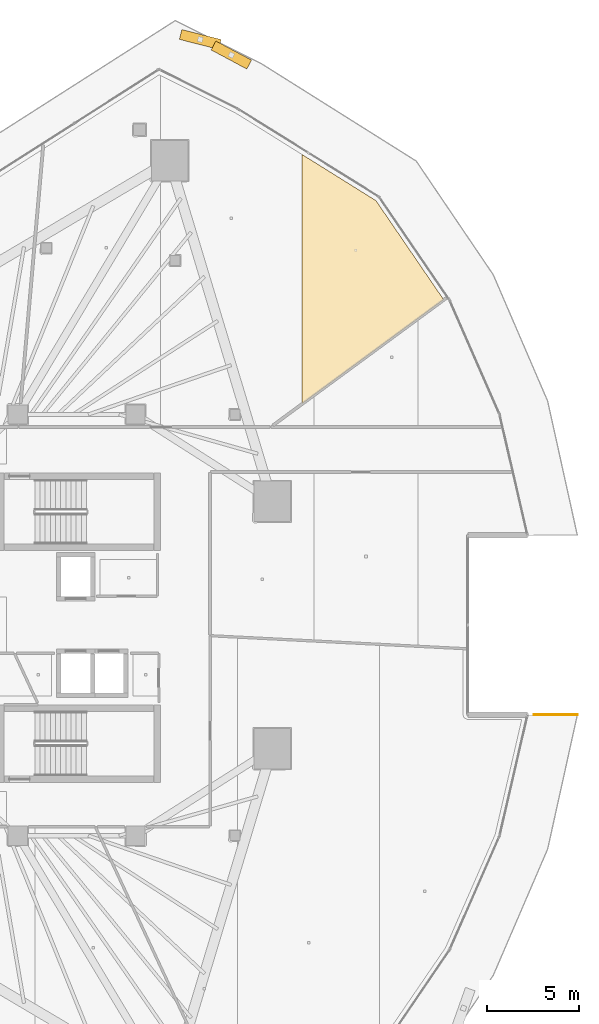
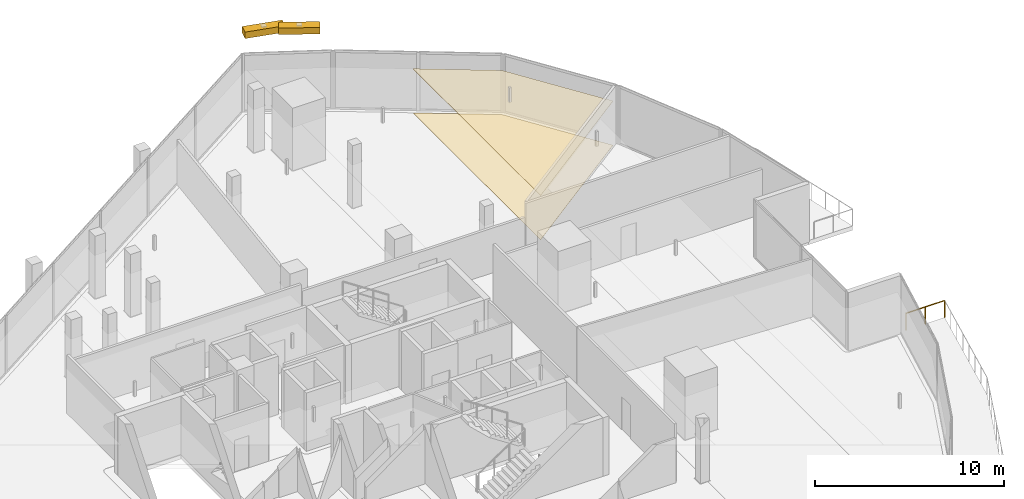
# One storey, part 38 of 38: 2 coverings, 2 shading devices, 1 railing.
"""IFC4 building model written with IfcOpenShell, lengths in metres."""

from ifc_helpers import new_model, si_unit, direction, frame, origin, origin_2d, place, context, subcontext, project, spatial, polyline, rectangle, circle, outline, extrude, material, layer, layer_set, type_object, element, save


model = new_model("IFC4")

# Units and contexts
model_context = context("Model", 3, precision=1e-05, world=origin(), true_north=direction((0.0, 1.0)))
body_context = subcontext(model_context, "Body", "Model", "MODEL_VIEW")
ifc_project = project(units=[si_unit("LENGTHUNIT", "METRE"), si_unit("AREAUNIT", "SQUARE_METRE"), si_unit("VOLUMEUNIT", "CUBIC_METRE"), si_unit("PLANEANGLEUNIT", "RADIAN"), si_unit("MASSUNIT", "GRAM", prefix="KILO")], contexts=[model_context])

# Site, building, storey
site_placement = place(None, origin())
site = spatial("IfcSite", under=ifc_project, at=site_placement, CompositionType="ELEMENT")
building_placement = place(site_placement, origin())
building = spatial("IfcBuilding", under=site, at=building_placement, Name="Qorvath Tower", CompositionType="ELEMENT")
storey_placement = place(building_placement, frame((0.0, 0.0, 134.10009765625)))
storey = spatial("IfcBuildingStorey", under=building, at=storey_placement, Name="L30", CompositionType="ELEMENT", Elevation=134.10009765625)

# Coverings
ifc_material_1 = material(Name="Acoustic mineral fibre ceiling tile", Category="gypsum")
ifc_layer_1 = layer(ifc_material_1, 0.030029296875)
ifc_layer_set_1 = layer_set([ifc_layer_1], Name="COV-CEIL")
covering_type_1 = type_object("IfcCoveringType", Name="COV-CEIL", PredefinedType="CEILING", material=ifc_layer_set_1)
covering_1_placement = place(storey_placement, frame((0.0, 0.0, 2.849853515625)))
element("IfcCovering", 1, at=covering_1_placement, inside=storey, type_object=covering_type_1, Name="L30 Suspended Acoustic Ceiling 028", PredefinedType="CEILING", context=body_context, shape_type="SweptSolid", body=[
    extrude(outline(polyline([(-8.147216796875, 25.584716796875), (-8.147216796875, 12.03369140625), (-0.447998046875, 17.691650390625), (-4.127685546875, 23.076171875), (-8.147216796875, 25.584716796875)])), origin(), (0.0, 0.0, 1.0), 0.030029296875),
])
ifc_material_2 = material(Name="Low-VOC modular carpet tile", Category="textile")
ifc_layer_2 = layer(ifc_material_2, 0.014892578125)
ifc_layer_set_2 = layer_set([ifc_layer_2], Name="COV-FLOOR-CPT")
covering_type_2 = type_object("IfcCoveringType", Name="COV-FLOOR-CPT", PredefinedType="FLOORING", material=ifc_layer_set_2)
covering_2_placement = place(storey_placement, origin())
element("IfcCovering", 2, at=covering_2_placement, inside=storey, type_object=covering_type_2, Name="L30 Floor Finish 028", PredefinedType="FLOORING", context=body_context, shape_type="SweptSolid", body=[
    extrude(outline(polyline([(-8.147216796875, 25.584716796875), (-8.147216796875, 12.03369140625), (-0.447998046875, 17.691650390625), (-4.127685546875, 23.076171875), (-8.147216796875, 25.584716796875)])), origin(), (0.0, 0.0, 1.0), 0.014892578125),
])

# Railing
ifc_material_3 = material(Name="Laminated safety glass and stainless steel AISI 316", Category="steel")
railing_type = type_object("IfcRailingType", Name="RL-EXT-GRD", PredefinedType="GUARDRAIL", material=ifc_material_3)
railing_placement = place(storey_placement, frame((4.46728515625, -4.881591796875, 0.0)))
element("IfcRailing", 3, at=railing_placement, inside=storey, type_object=railing_type, Name="Loggia Perimeter Guardrail L30-1.2", PredefinedType="GUARDRAIL", context=body_context, shape_type="SweptSolid", body=[
    extrude(circle(Radius=0.02392578125, at=origin_2d()), frame((0.0, 0.0, 1.09619140625), z_axis=(1.0, 0.0, 0.0), x_axis=(0.0, 1.0, 0.0)), (0.0, 0.0, 1.0), 2.36669921875),
    extrude(circle(Radius=0.02099609375, at=origin_2d()), origin(), (0.0, 0.0, 1.0), 1.072021484375),
    extrude(circle(Radius=0.02099609375, at=origin_2d()), frame((1.183349609375, 0.0, 0.0)), (0.0, 0.0, 1.0), 1.072021484375),
    extrude(circle(Radius=0.02099609375, at=origin_2d()), frame((2.36669921875, 0.0, 0.0)), (0.0, 0.0, 1.0), 1.072021484375),
])

# Shading devices
ifc_material_4 = material(Name="Anodised bronze-champagne aluminium", Category="aluminium")
shading_device_type = type_object("IfcShadingDeviceType", Name="SD-LOUVRE", PredefinedType="JALOUSIE", material=ifc_material_4)
for number, where, z_axis, x_axis, name in (
    (4, (-11.99072265625, 30.99267578125, 3.35986328125), (0.0, 0.0, 1.0), (-0.881876832336, 0.471479853853, 0.0), "Sinusoidal Wave Louvre Blade L30-05"),
    (5, (-13.681640625, 31.838134765625, 3.35986328125), (0.0, 0.0, 1.0), (-0.968962684442, 0.247207030964, 0.0), "Sinusoidal Wave Louvre Blade L30-06"),
):
    element("IfcShadingDevice", number, at=place(storey_placement, frame(where, z_axis=z_axis, x_axis=x_axis)), inside=storey, type_object=shading_device_type, Name=name, PredefinedType="NOTDEFINED", context=body_context, shape_type="SweptSolid", body=[
        extrude(rectangle(XDim=2.199951171875, YDim=0.550048828125, at=origin_2d()), origin(), (0.0, 0.0, 1.0), 0.419921875),
    ])

save(model, "model.ifc")
